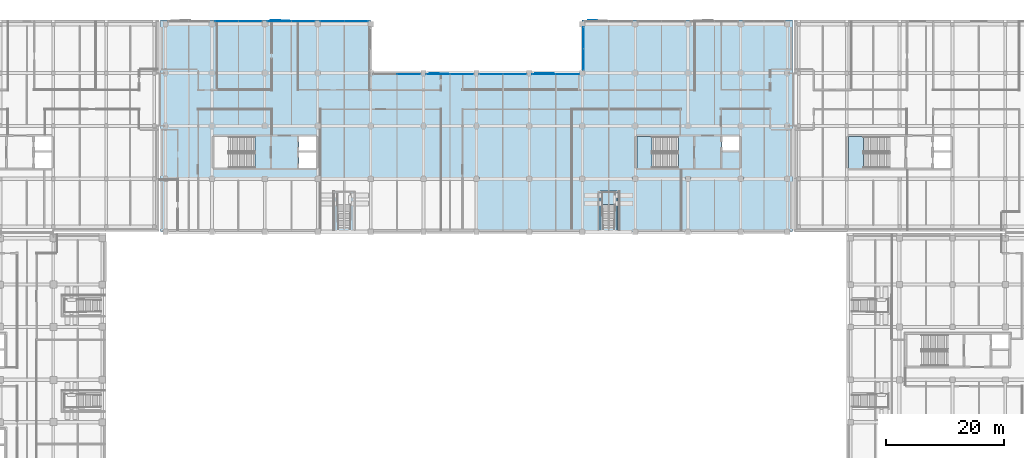
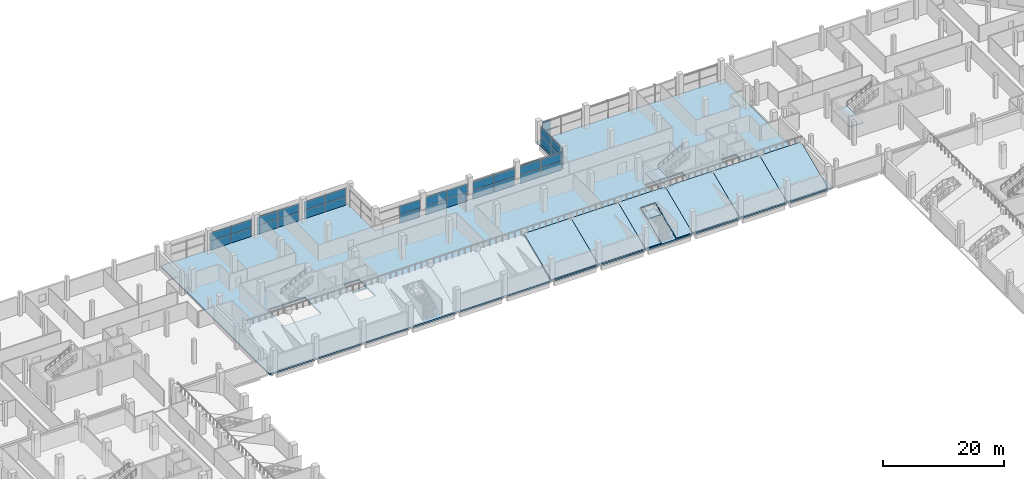
# One storey, part 49 of 100: 37 plates, 10 slabs, 10 elements without a shape of their own.
"""IFC4 building model written with IfcOpenShell, lengths in metres."""

from ifc_helpers import new_model, si_unit, direction, frame, origin, origin_2d, place, context, subcontext, project, spatial, polyline, rectangle, outline, extrude, material, layer, layer_set, type_object, element, aggregate, save


model = new_model("IFC4")

# Units and contexts
model_context = context("Model", 3, precision=1e-05, world=origin(), true_north=direction((0.0, 1.0)))
body_context = subcontext(model_context, "Body", "Model", "MODEL_VIEW")
ifc_project = project(units=[si_unit("LENGTHUNIT", "METRE"), si_unit("AREAUNIT", "SQUARE_METRE"), si_unit("VOLUMEUNIT", "CUBIC_METRE"), si_unit("PLANEANGLEUNIT", "RADIAN"), si_unit("MASSUNIT", "GRAM", prefix="KILO"), si_unit("THERMODYNAMICTEMPERATUREUNIT", "KELVIN"), si_unit("POWERUNIT", "WATT")], contexts=[model_context])

# Site, building, storey
site_placement = place(None, origin())
site = spatial("IfcSite", under=ifc_project, at=site_placement, CompositionType="ELEMENT")
building_placement = place(site_placement, origin())
building = spatial("IfcBuilding", under=site, at=building_placement, Name="Sindhuravela Promenade Stadium", CompositionType="ELEMENT")
storey_placement = place(building_placement, frame((0.0, 0.0, 4.800048828125)))
storey = spatial("IfcBuildingStorey", under=building, at=storey_placement, Name="L01", CompositionType="ELEMENT", Elevation=4.800048828125)

# Plates
ifc_material_1 = material(Name="Perforated terracotta celosia brick (15 MPa)", Category="masonry")
ifc_layer_1 = layer(ifc_material_1, 0.090087890625)
ifc_layer_set_1 = layer_set([ifc_layer_1], Name="Perforated terracotta celosia brick (15 MPa)")
plate_type_1 = type_object("IfcPlateType", Name="CL-SCR-01", PredefinedType="USERDEFINED", material=ifc_layer_set_1)
for number, where, z_axis, x_axis, name in (
    (1, (75.405029296875, 161.8798828125, 0.0), (0.0, 0.0, 1.0), (1.0, 0.0, 0.0), "Perforated brick celosia screen NORTH L01-140"),
    (2, (102.405029296875, 152.8798828125, 0.0), (0.0, 0.0, 1.0), (1.0, 0.0, 0.0), "Perforated brick celosia screen NORTH L01-144"),
):
    element("IfcPlate", number, at=place(storey_placement, frame(where, z_axis=z_axis, x_axis=x_axis)), inside=storey, type_object=plate_type_1, Name=name, ObjectType="SCREEN PANEL", PredefinedType="USERDEFINED", context=body_context, shape_type="SweptSolid", body=[
        extrude(rectangle(XDim=1.56005859375, YDim=0.090087890625, at=origin_2d()), origin(), (0.0, 0.0, 1.0), 3.580078125),
    ])
ifc_layer_2 = layer(ifc_material_1, 0.114990234375)
ifc_layer_set_2 = layer_set([ifc_layer_2], Name="Perforated terracotta celosia brick (15 MPa)")
plate_type_2 = type_object("IfcPlateType", Name="CL-SCR-02", PredefinedType="USERDEFINED", material=ifc_layer_set_2)
plate_1_placement = place(storey_placement, frame((118.804931640625, 152.8798828125, 0.0), z_axis=(0.0, 0.0, 1.0), x_axis=(1.0, 0.0, 0.0)))
element("IfcPlate", 3, at=plate_1_placement, inside=storey, type_object=plate_type_2, Name="Perforated brick celosia screen NORTH L01-145", ObjectType="SCREEN PANEL", PredefinedType="USERDEFINED", context=body_context, shape_type="SweptSolid", body=[
    extrude(rectangle(XDim=1.56005859375, YDim=0.114990234375, at=origin_2d()), origin(), (0.0, 0.0, 1.0), 3.580078125),
])
ifc_layer_3 = layer(ifc_material_1, 0.139892578125)
ifc_layer_set_3 = layer_set([ifc_layer_3], Name="Perforated terracotta celosia brick (15 MPa)")
plate_type_3 = type_object("IfcPlateType", Name="CL-SCR-03", PredefinedType="USERDEFINED", material=ifc_layer_set_3)
plate_2_placement = place(storey_placement, frame((120.405029296875, 152.8798828125, 0.0), z_axis=(0.0, 0.0, 1.0), x_axis=(1.0, 0.0, 0.0)))
element("IfcPlate", 4, at=plate_2_placement, inside=storey, type_object=plate_type_3, Name="Perforated brick celosia screen NORTH L01-146", ObjectType="SCREEN PANEL", PredefinedType="USERDEFINED", context=body_context, shape_type="SweptSolid", body=[
    extrude(rectangle(XDim=1.56005859375, YDim=0.139892578125, at=origin_2d()), origin(), (0.0, 0.0, 1.0), 3.580078125),
])
ifc_layer_4 = layer(ifc_material_1, 0.1650390625)
ifc_layer_set_4 = layer_set([ifc_layer_4], Name="Perforated terracotta celosia brick (15 MPa)")
plate_type_4 = type_object("IfcPlateType", Name="CL-SCR-04", PredefinedType="USERDEFINED", material=ifc_layer_set_4)
for number, where, z_axis, x_axis, name in (
    (5, (73.804931640625, 161.8798828125, 0.0), (0.0, 0.0, 1.0), (1.0, 0.0, 0.0), "Perforated brick celosia screen NORTH L01-139"),
    (6, (100.804931640625, 152.8798828125, 0.0), (0.0, 0.0, 1.0), (1.0, 0.0, 0.0), "Perforated brick celosia screen NORTH L01-143"),
    (7, (127.804931640625, 161.8798828125, 0.0), (0.0, 0.0, 1.0), (1.0, 0.0, 0.0), "Perforated brick celosia screen NORTH L01-147"),
):
    element("IfcPlate", number, at=place(storey_placement, frame(where, z_axis=z_axis, x_axis=x_axis)), inside=storey, type_object=plate_type_4, Name=name, ObjectType="SCREEN PANEL", PredefinedType="USERDEFINED", context=body_context, shape_type="SweptSolid", body=[
        extrude(rectangle(XDim=1.56005859375, YDim=0.1650390625, at=origin_2d()), origin(), (0.0, 0.0, 1.0), 3.580078125),
    ])

# Curtain wall, plates
ifc_material_2 = material(Name="Anodised architectural aluminium 6063-T6", Category="aluminium")
curtain_wall_type_1 = type_object("IfcCurtainWallType", Name="CW-MOD-5", PredefinedType="NOTDEFINED", material=ifc_material_2)
curtain_wall_1_placement = place(storey_placement, origin())
curtain_wall_1 = element("IfcCurtainWall", 8, at=curtain_wall_1_placement, inside=storey, type_object=curtain_wall_type_1, Name="Bronze curtain wall CW-NORTH-L01-140", PredefinedType="NOTDEFINED")
ifc_material_3 = material(Name="Tempered laminated low-E glass", Category="glass")
ifc_layer_5 = layer(ifc_material_3, 0.028076171875)
ifc_layer_set_5 = layer_set([ifc_layer_5], Name="Tempered laminated low-E glass")
plate_type_5 = type_object("IfcPlateType", Name="CW-PNL-01", PredefinedType="CURTAIN_PANEL", material=ifc_layer_set_5)
plate_3_placement = place(storey_placement, frame((74.5, 161.800048828125, 0.01513671875), z_axis=(0.0, 0.0, 1.0), x_axis=(1.0, 0.0, 0.0)))
plate_3 = element("IfcPlate", 9, at=plate_3_placement, type_object=plate_type_5, Name="Glazed curtain panel CW-NORTH-L01-140-P1.1", PredefinedType="CURTAIN_PANEL", context=body_context, shape_type="SweptSolid", body=[
    extrude(rectangle(XDim=3.93994140625, YDim=0.028076171875, at=origin_2d()), origin(), (0.0, 0.0, 1.0), 1.760009765625),
])
plate_4_placement = place(storey_placement, frame((74.5, 161.800048828125, 1.80517578125), z_axis=(0.0, 0.0, 1.0), x_axis=(1.0, 0.0, 0.0)))
plate_4 = element("IfcPlate", 10, at=plate_4_placement, type_object=plate_type_5, Name="Glazed curtain panel CW-NORTH-L01-140-P1.2", PredefinedType="CURTAIN_PANEL", context=body_context, shape_type="SweptSolid", body=[
    extrude(rectangle(XDim=3.93994140625, YDim=0.028076171875, at=origin_2d()), origin(), (0.0, 0.0, 1.0), 1.679931640625),
])
plate_5_placement = place(storey_placement, frame((78.5, 161.800048828125, 0.01513671875), z_axis=(0.0, 0.0, 1.0), x_axis=(1.0, 0.0, 0.0)))
plate_5 = element("IfcPlate", 11, at=plate_5_placement, type_object=plate_type_5, Name="Glazed curtain panel CW-NORTH-L01-140-P2.1", PredefinedType="CURTAIN_PANEL", context=body_context, shape_type="SweptSolid", body=[
    extrude(rectangle(XDim=3.93994140625, YDim=0.028076171875, at=origin_2d()), origin(), (0.0, 0.0, 1.0), 1.760009765625),
])
plate_6_placement = place(storey_placement, frame((78.5, 161.800048828125, 1.80517578125), z_axis=(0.0, 0.0, 1.0), x_axis=(1.0, 0.0, 0.0)))
plate_6 = element("IfcPlate", 12, at=plate_6_placement, type_object=plate_type_5, Name="Glazed curtain panel CW-NORTH-L01-140-P2.2", PredefinedType="CURTAIN_PANEL", context=body_context, shape_type="SweptSolid", body=[
    extrude(rectangle(XDim=3.93994140625, YDim=0.028076171875, at=origin_2d()), origin(), (0.0, 0.0, 1.0), 1.679931640625),
])
aggregate(curtain_wall_1, [plate_3, plate_4, plate_5, plate_6])

curtain_wall_type_2 = type_object("IfcCurtainWallType", Name="CW-MOD-1", PredefinedType="NOTDEFINED", material=ifc_material_2)
curtain_wall_2_placement = place(storey_placement, origin())
curtain_wall_2 = element("IfcCurtainWall", 13, at=curtain_wall_2_placement, inside=storey, type_object=curtain_wall_type_2, Name="Bronze curtain wall CW-NORTH-L01-144", PredefinedType="NOTDEFINED")
plate_7_placement = place(storey_placement, frame((101.5, 152.800048828125, 0.01513671875), z_axis=(0.0, 0.0, 1.0), x_axis=(1.0, 0.0, 0.0)))
plate_7 = element("IfcPlate", 14, at=plate_7_placement, type_object=plate_type_5, Name="Glazed curtain panel CW-NORTH-L01-144-P1.1", PredefinedType="CURTAIN_PANEL", context=body_context, shape_type="SweptSolid", body=[
    extrude(rectangle(XDim=3.93994140625, YDim=0.028076171875, at=origin_2d()), origin(), (0.0, 0.0, 1.0), 1.760009765625),
])
plate_8_placement = place(storey_placement, frame((101.5, 152.800048828125, 1.80517578125), z_axis=(0.0, 0.0, 1.0), x_axis=(1.0, 0.0, 0.0)))
plate_8 = element("IfcPlate", 15, at=plate_8_placement, type_object=plate_type_5, Name="Glazed curtain panel CW-NORTH-L01-144-P1.2", PredefinedType="CURTAIN_PANEL", context=body_context, shape_type="SweptSolid", body=[
    extrude(rectangle(XDim=3.93994140625, YDim=0.028076171875, at=origin_2d()), origin(), (0.0, 0.0, 1.0), 1.679931640625),
])
plate_9_placement = place(storey_placement, frame((105.5, 152.800048828125, 0.01513671875), z_axis=(0.0, 0.0, 1.0), x_axis=(1.0, 0.0, 0.0)))
plate_9 = element("IfcPlate", 16, at=plate_9_placement, type_object=plate_type_5, Name="Glazed curtain panel CW-NORTH-L01-144-P2.1", PredefinedType="CURTAIN_PANEL", context=body_context, shape_type="SweptSolid", body=[
    extrude(rectangle(XDim=3.93994140625, YDim=0.028076171875, at=origin_2d()), origin(), (0.0, 0.0, 1.0), 1.760009765625),
])
plate_10_placement = place(storey_placement, frame((105.5, 152.800048828125, 1.80517578125), z_axis=(0.0, 0.0, 1.0), x_axis=(1.0, 0.0, 0.0)))
plate_10 = element("IfcPlate", 17, at=plate_10_placement, type_object=plate_type_5, Name="Glazed curtain panel CW-NORTH-L01-144-P2.2", PredefinedType="CURTAIN_PANEL", context=body_context, shape_type="SweptSolid", body=[
    extrude(rectangle(XDim=3.93994140625, YDim=0.028076171875, at=origin_2d()), origin(), (0.0, 0.0, 1.0), 1.679931640625),
])
aggregate(curtain_wall_2, [plate_7, plate_8, plate_9, plate_10])

curtain_wall_type_3 = type_object("IfcCurtainWallType", Name="CW-MOD-3", PredefinedType="NOTDEFINED", material=ifc_material_2)
curtain_wall_3_placement = place(storey_placement, origin())
curtain_wall_3 = element("IfcCurtainWall", 18, at=curtain_wall_3_placement, inside=storey, type_object=curtain_wall_type_3, Name="Bronze curtain wall CW-NORTH-L01-146", PredefinedType="NOTDEFINED")
plate_11_placement = place(storey_placement, frame((119.5, 152.800048828125, 0.01513671875), z_axis=(0.0, 0.0, 1.0), x_axis=(1.0, 0.0, 0.0)))
plate_11 = element("IfcPlate", 19, at=plate_11_placement, type_object=plate_type_5, Name="Glazed curtain panel CW-NORTH-L01-146-P1.1", PredefinedType="CURTAIN_PANEL", context=body_context, shape_type="SweptSolid", body=[
    extrude(rectangle(XDim=3.93994140625, YDim=0.028076171875, at=origin_2d()), origin(), (0.0, 0.0, 1.0), 1.760009765625),
])
plate_12_placement = place(storey_placement, frame((119.5, 152.800048828125, 1.80517578125), z_axis=(0.0, 0.0, 1.0), x_axis=(1.0, 0.0, 0.0)))
plate_12 = element("IfcPlate", 20, at=plate_12_placement, type_object=plate_type_5, Name="Glazed curtain panel CW-NORTH-L01-146-P1.2", PredefinedType="CURTAIN_PANEL", context=body_context, shape_type="SweptSolid", body=[
    extrude(rectangle(XDim=3.93994140625, YDim=0.028076171875, at=origin_2d()), origin(), (0.0, 0.0, 1.0), 1.679931640625),
])
plate_13_placement = place(storey_placement, frame((123.5, 152.800048828125, 0.01513671875), z_axis=(0.0, 0.0, 1.0), x_axis=(1.0, 0.0, 0.0)))
plate_13 = element("IfcPlate", 21, at=plate_13_placement, type_object=plate_type_5, Name="Glazed curtain panel CW-NORTH-L01-146-P2.1", PredefinedType="CURTAIN_PANEL", context=body_context, shape_type="SweptSolid", body=[
    extrude(rectangle(XDim=3.93994140625, YDim=0.028076171875, at=origin_2d()), origin(), (0.0, 0.0, 1.0), 1.760009765625),
])
plate_14_placement = place(storey_placement, frame((123.5, 152.800048828125, 1.80517578125), z_axis=(0.0, 0.0, 1.0), x_axis=(1.0, 0.0, 0.0)))
plate_14 = element("IfcPlate", 22, at=plate_14_placement, type_object=plate_type_5, Name="Glazed curtain panel CW-NORTH-L01-146-P2.2", PredefinedType="CURTAIN_PANEL", context=body_context, shape_type="SweptSolid", body=[
    extrude(rectangle(XDim=3.93994140625, YDim=0.028076171875, at=origin_2d()), origin(), (0.0, 0.0, 1.0), 1.679931640625),
])
aggregate(curtain_wall_3, [plate_11, plate_12, plate_13, plate_14])

curtain_wall_type_4 = type_object("IfcCurtainWallType", Name="CW-MOD-4", PredefinedType="NOTDEFINED", material=ifc_material_2)
curtain_wall_4_placement = place(storey_placement, origin())
curtain_wall_4 = element("IfcCurtainWall", 23, at=curtain_wall_4_placement, inside=storey, type_object=curtain_wall_type_4, Name="Bronze curtain wall CW-NORTH-L01-139", PredefinedType="NOTDEFINED")
ifc_layer_6 = layer(ifc_material_3, 0.0400390625)
ifc_layer_set_6 = layer_set([ifc_layer_6], Name="Tempered laminated low-E glass")
plate_type_6 = type_object("IfcPlateType", Name="CW-PNL-02", PredefinedType="CURTAIN_PANEL", material=ifc_layer_set_6)
plate_15_placement = place(storey_placement, frame((65.5, 161.800048828125, 0.01513671875), z_axis=(0.0, 0.0, 1.0), x_axis=(1.0, 0.0, 0.0)))
plate_15 = element("IfcPlate", 24, at=plate_15_placement, type_object=plate_type_6, Name="Glazed curtain panel CW-NORTH-L01-139-P1.1", PredefinedType="CURTAIN_PANEL", context=body_context, shape_type="SweptSolid", body=[
    extrude(rectangle(XDim=3.93994140625, YDim=0.0400390625, at=origin_2d()), origin(), (0.0, 0.0, 1.0), 1.760009765625),
])
plate_16_placement = place(storey_placement, frame((65.5, 161.800048828125, 1.80517578125), z_axis=(0.0, 0.0, 1.0), x_axis=(1.0, 0.0, 0.0)))
plate_16 = element("IfcPlate", 25, at=plate_16_placement, type_object=plate_type_6, Name="Glazed curtain panel CW-NORTH-L01-139-P1.2", PredefinedType="CURTAIN_PANEL", context=body_context, shape_type="SweptSolid", body=[
    extrude(rectangle(XDim=3.93994140625, YDim=0.0400390625, at=origin_2d()), origin(), (0.0, 0.0, 1.0), 1.679931640625),
])
plate_17_placement = place(storey_placement, frame((69.5, 161.800048828125, 0.01513671875), z_axis=(0.0, 0.0, 1.0), x_axis=(1.0, 0.0, 0.0)))
plate_17 = element("IfcPlate", 26, at=plate_17_placement, type_object=plate_type_6, Name="Glazed curtain panel CW-NORTH-L01-139-P2.1", PredefinedType="CURTAIN_PANEL", context=body_context, shape_type="SweptSolid", body=[
    extrude(rectangle(XDim=3.93994140625, YDim=0.0400390625, at=origin_2d()), origin(), (0.0, 0.0, 1.0), 1.760009765625),
])
plate_18_placement = place(storey_placement, frame((69.5, 161.800048828125, 1.80517578125), z_axis=(0.0, 0.0, 1.0), x_axis=(1.0, 0.0, 0.0)))
plate_18 = element("IfcPlate", 27, at=plate_18_placement, type_object=plate_type_6, Name="Glazed curtain panel CW-NORTH-L01-139-P2.2", PredefinedType="CURTAIN_PANEL", context=body_context, shape_type="SweptSolid", body=[
    extrude(rectangle(XDim=3.93994140625, YDim=0.0400390625, at=origin_2d()), origin(), (0.0, 0.0, 1.0), 1.679931640625),
])
aggregate(curtain_wall_4, [plate_15, plate_16, plate_17, plate_18])

curtain_wall_type_5 = type_object("IfcCurtainWallType", Name="CW-MOD-6", PredefinedType="NOTDEFINED", material=ifc_material_2)
curtain_wall_5_placement = place(storey_placement, origin())
curtain_wall_5 = element("IfcCurtainWall", 28, at=curtain_wall_5_placement, inside=storey, type_object=curtain_wall_type_5, Name="Bronze curtain wall CW-NORTH-L01-141", PredefinedType="NOTDEFINED")
plate_19_placement = place(storey_placement, frame((83.5, 161.800048828125, 0.01513671875), z_axis=(0.0, 0.0, 1.0), x_axis=(1.0, 0.0, 0.0)))
plate_19 = element("IfcPlate", 29, at=plate_19_placement, type_object=plate_type_6, Name="Glazed curtain panel CW-NORTH-L01-141-P1.1", PredefinedType="CURTAIN_PANEL", context=body_context, shape_type="SweptSolid", body=[
    extrude(rectangle(XDim=3.93994140625, YDim=0.0400390625, at=origin_2d()), origin(), (0.0, 0.0, 1.0), 1.760009765625),
])
plate_20_placement = place(storey_placement, frame((83.5, 161.800048828125, 1.80517578125), z_axis=(0.0, 0.0, 1.0), x_axis=(1.0, 0.0, 0.0)))
plate_20 = element("IfcPlate", 30, at=plate_20_placement, type_object=plate_type_6, Name="Glazed curtain panel CW-NORTH-L01-141-P1.2", PredefinedType="CURTAIN_PANEL", context=body_context, shape_type="SweptSolid", body=[
    extrude(rectangle(XDim=3.93994140625, YDim=0.0400390625, at=origin_2d()), origin(), (0.0, 0.0, 1.0), 1.679931640625),
])
plate_21_placement = place(storey_placement, frame((87.5, 161.800048828125, 0.01513671875), z_axis=(0.0, 0.0, 1.0), x_axis=(1.0, 0.0, 0.0)))
plate_21 = element("IfcPlate", 31, at=plate_21_placement, type_object=plate_type_6, Name="Glazed curtain panel CW-NORTH-L01-141-P2.1", PredefinedType="CURTAIN_PANEL", context=body_context, shape_type="SweptSolid", body=[
    extrude(rectangle(XDim=3.93994140625, YDim=0.0400390625, at=origin_2d()), origin(), (0.0, 0.0, 1.0), 1.760009765625),
])
plate_22_placement = place(storey_placement, frame((87.5, 161.800048828125, 1.80517578125), z_axis=(0.0, 0.0, 1.0), x_axis=(1.0, 0.0, 0.0)))
plate_22 = element("IfcPlate", 32, at=plate_22_placement, type_object=plate_type_6, Name="Glazed curtain panel CW-NORTH-L01-141-P2.2", PredefinedType="CURTAIN_PANEL", context=body_context, shape_type="SweptSolid", body=[
    extrude(rectangle(XDim=3.93994140625, YDim=0.0400390625, at=origin_2d()), origin(), (0.0, 0.0, 1.0), 1.679931640625),
])
aggregate(curtain_wall_5, [plate_19, plate_20, plate_21, plate_22])

curtain_wall_type_6 = type_object("IfcCurtainWallType", Name="CW-MOD-8", PredefinedType="NOTDEFINED", material=ifc_material_2)
curtain_wall_6_placement = place(storey_placement, origin())
curtain_wall_6 = element("IfcCurtainWall", 33, at=curtain_wall_6_placement, inside=storey, type_object=curtain_wall_type_6, Name="Bronze curtain wall CW-NORTH-L01-143", PredefinedType="NOTDEFINED")
plate_23_placement = place(storey_placement, frame((96.5, 152.800048828125, 0.01513671875), z_axis=(0.0, 0.0, 1.0), x_axis=(1.0, 0.0, 0.0)))
plate_23 = element("IfcPlate", 34, at=plate_23_placement, type_object=plate_type_6, Name="Glazed curtain panel CW-NORTH-L01-143-P2.1", PredefinedType="CURTAIN_PANEL", context=body_context, shape_type="SweptSolid", body=[
    extrude(rectangle(XDim=3.93994140625, YDim=0.0400390625, at=origin_2d()), origin(), (0.0, 0.0, 1.0), 1.760009765625),
])
plate_24_placement = place(storey_placement, frame((96.5, 152.800048828125, 1.80517578125), z_axis=(0.0, 0.0, 1.0), x_axis=(1.0, 0.0, 0.0)))
plate_24 = element("IfcPlate", 35, at=plate_24_placement, type_object=plate_type_6, Name="Glazed curtain panel CW-NORTH-L01-143-P2.2", PredefinedType="CURTAIN_PANEL", context=body_context, shape_type="SweptSolid", body=[
    extrude(rectangle(XDim=3.93994140625, YDim=0.0400390625, at=origin_2d()), origin(), (0.0, 0.0, 1.0), 1.679931640625),
])
aggregate(curtain_wall_6, [plate_23, plate_24])

curtain_wall_type_7 = type_object("IfcCurtainWallType", Name="CW-MOD-2", PredefinedType="NOTDEFINED", material=ifc_material_2)
curtain_wall_7_placement = place(storey_placement, origin())
curtain_wall_7 = element("IfcCurtainWall", 36, at=curtain_wall_7_placement, inside=storey, type_object=curtain_wall_type_7, Name="Bronze curtain wall CW-NORTH-L01-145", PredefinedType="NOTDEFINED")
plate_25_placement = place(storey_placement, frame((110.5, 152.800048828125, 0.01513671875), z_axis=(0.0, 0.0, 1.0), x_axis=(1.0, 0.0, 0.0)))
plate_25 = element("IfcPlate", 37, at=plate_25_placement, type_object=plate_type_6, Name="Glazed curtain panel CW-NORTH-L01-145-P1.1", PredefinedType="CURTAIN_PANEL", context=body_context, shape_type="SweptSolid", body=[
    extrude(rectangle(XDim=3.93994140625, YDim=0.0400390625, at=origin_2d()), origin(), (0.0, 0.0, 1.0), 1.760009765625),
])
plate_26_placement = place(storey_placement, frame((110.5, 152.800048828125, 1.80517578125), z_axis=(0.0, 0.0, 1.0), x_axis=(1.0, 0.0, 0.0)))
plate_26 = element("IfcPlate", 38, at=plate_26_placement, type_object=plate_type_6, Name="Glazed curtain panel CW-NORTH-L01-145-P1.2", PredefinedType="CURTAIN_PANEL", context=body_context, shape_type="SweptSolid", body=[
    extrude(rectangle(XDim=3.93994140625, YDim=0.0400390625, at=origin_2d()), origin(), (0.0, 0.0, 1.0), 1.679931640625),
])
plate_27_placement = place(storey_placement, frame((114.5, 152.800048828125, 0.01513671875), z_axis=(0.0, 0.0, 1.0), x_axis=(1.0, 0.0, 0.0)))
plate_27 = element("IfcPlate", 39, at=plate_27_placement, type_object=plate_type_6, Name="Glazed curtain panel CW-NORTH-L01-145-P2.1", PredefinedType="CURTAIN_PANEL", context=body_context, shape_type="SweptSolid", body=[
    extrude(rectangle(XDim=3.93994140625, YDim=0.0400390625, at=origin_2d()), origin(), (0.0, 0.0, 1.0), 1.760009765625),
])
plate_28_placement = place(storey_placement, frame((114.5, 152.800048828125, 1.80517578125), z_axis=(0.0, 0.0, 1.0), x_axis=(1.0, 0.0, 0.0)))
plate_28 = element("IfcPlate", 40, at=plate_28_placement, type_object=plate_type_6, Name="Glazed curtain panel CW-NORTH-L01-145-P2.2", PredefinedType="CURTAIN_PANEL", context=body_context, shape_type="SweptSolid", body=[
    extrude(rectangle(XDim=3.93994140625, YDim=0.0400390625, at=origin_2d()), origin(), (0.0, 0.0, 1.0), 1.679931640625),
])
aggregate(curtain_wall_7, [plate_25, plate_26, plate_27, plate_28])

curtain_wall_8_placement = place(storey_placement, origin())
curtain_wall_8 = element("IfcCurtainWall", 41, at=curtain_wall_8_placement, inside=storey, type_object=curtain_wall_type_4, Name="Bronze curtain wall CW-NORTH-L01-147", PredefinedType="NOTDEFINED")
plate_29_placement = place(storey_placement, frame((126.199951171875, 155.324951171875, 0.01513671875), z_axis=(0.0, 0.0, 1.0), x_axis=(0.0, 1.0, 0.0)))
plate_29 = element("IfcPlate", 42, at=plate_29_placement, type_object=plate_type_6, Name="Glazed curtain panel CW-NORTH-L01-147-P1.1", PredefinedType="CURTAIN_PANEL", context=body_context, shape_type="SweptSolid", body=[
    extrude(rectangle(XDim=3.590087890625, YDim=0.0400390625, at=origin_2d()), origin(), (0.0, 0.0, 1.0), 1.760009765625),
])
plate_30_placement = place(storey_placement, frame((126.199951171875, 155.324951171875, 1.80517578125), z_axis=(0.0, 0.0, 1.0), x_axis=(0.0, 1.0, 0.0)))
plate_30 = element("IfcPlate", 43, at=plate_30_placement, type_object=plate_type_6, Name="Glazed curtain panel CW-NORTH-L01-147-P1.2", PredefinedType="CURTAIN_PANEL", context=body_context, shape_type="SweptSolid", body=[
    extrude(rectangle(XDim=3.590087890625, YDim=0.0400390625, at=origin_2d()), origin(), (0.0, 0.0, 1.0), 1.679931640625),
])
plate_31_placement = place(storey_placement, frame((126.199951171875, 158.97509765625, 0.01513671875), z_axis=(0.0, 0.0, 1.0), x_axis=(0.0, 1.0, 0.0)))
plate_31 = element("IfcPlate", 44, at=plate_31_placement, type_object=plate_type_6, Name="Glazed curtain panel CW-NORTH-L01-147-P2.1", PredefinedType="CURTAIN_PANEL", context=body_context, shape_type="SweptSolid", body=[
    extrude(rectangle(XDim=3.590087890625, YDim=0.0400390625, at=origin_2d()), origin(), (0.0, 0.0, 1.0), 1.760009765625),
])
plate_32_placement = place(storey_placement, frame((126.199951171875, 158.97509765625, 1.80517578125), z_axis=(0.0, 0.0, 1.0), x_axis=(0.0, 1.0, 0.0)))
plate_32 = element("IfcPlate", 45, at=plate_32_placement, type_object=plate_type_6, Name="Glazed curtain panel CW-NORTH-L01-147-P2.2", PredefinedType="CURTAIN_PANEL", context=body_context, shape_type="SweptSolid", body=[
    extrude(rectangle(XDim=3.590087890625, YDim=0.0400390625, at=origin_2d()), origin(), (0.0, 0.0, 1.0), 1.679931640625),
])
aggregate(curtain_wall_8, [plate_29, plate_30, plate_31, plate_32])

# Slabs
ifc_material_4 = material(Name="Concrete M40", Category="concrete")
ifc_layer_7 = layer(ifc_material_4, 0.25)
ifc_layer_set_7 = layer_set([ifc_layer_7], Name="Concrete M40")
slab_type_1 = type_object("IfcSlabType", Name="SL-FLR-250", PredefinedType="FLOOR", material=ifc_layer_set_7)
slab_1_placement = place(storey_placement, frame((0.0, 0.0, 2.0)))
element("IfcSlab", 46, at=slab_1_placement, inside=storey, type_object=slab_type_1, Name="Vomitory VS10 tier landing slab", PredefinedType="FLOOR", context=body_context, shape_type="SweptSolid", body=[
    extrude(outline(polyline([(131.669921875, 130.639404296875), (131.669921875, 132.7900390625), (129.330078125, 132.7900390625), (129.330078125, 130.639404296875), (131.669921875, 130.639404296875)])), origin(), (0.0, 0.0, 1.0), 0.25),
])
ifc_layer_8 = layer(ifc_material_4, 0.300048828125)
ifc_layer_set_8 = layer_set([ifc_layer_8], Name="Concrete M40")
slab_type_2 = type_object("IfcSlabType", Name="SL-FLR-300", PredefinedType="FLOOR", material=ifc_layer_set_8)
slab_2_placement = place(storey_placement, frame((0.0, 0.0, -0.300048828125)))
element("IfcSlab", 47, at=slab_2_placement, inside=storey, type_object=slab_type_2, Name="Floor slab NORTH L01", PredefinedType="FLOOR", context=body_context, shape_type="SweptSolid", body=[
    extrude(outline(polyline([(54.25, 126.0), (161.75, 126.0), (161.75, 162.0), (126.0, 162.0), (126.0, 153.0), (90.0, 153.0), (90.0, 162.0), (54.25, 162.0), (54.25, 126.0)]), holes=[polyline([(63.300048828125, 136.800048828125), (70.34912109375, 136.800048828125), (70.34912109375, 142.199951171875), (63.300048828125, 142.199951171875), (63.300048828125, 136.800048828125)]), polyline([(77.800048828125, 139.800048828125), (80.699951171875, 139.800048828125), (80.699951171875, 142.199951171875), (77.800048828125, 142.199951171875), (77.800048828125, 139.800048828125)]), polyline([(77.800048828125, 136.800048828125), (80.699951171875, 136.800048828125), (80.699951171875, 139.5), (77.800048828125, 139.5), (77.800048828125, 136.800048828125)]), polyline([(135.300048828125, 136.800048828125), (142.34912109375, 136.800048828125), (142.34912109375, 142.199951171875), (135.300048828125, 142.199951171875), (135.300048828125, 136.800048828125)]), polyline([(149.800048828125, 139.800048828125), (152.699951171875, 139.800048828125), (152.699951171875, 142.199951171875), (149.800048828125, 142.199951171875), (149.800048828125, 139.800048828125)])]), origin(), (0.0, 0.0, 1.0), 0.300048828125),
])

# Stair, slab
stair_type = type_object("IfcStairType", Name="ST-CORE-DOGLEG", PredefinedType="HALF_TURN_STAIR", material=ifc_material_4)
stair_1_placement = place(storey_placement, origin())
stair_1 = element("IfcStair", 48, at=stair_1_placement, inside=storey, type_object=stair_type, Name="Protected escape stair ST10 (L01)", PredefinedType="HALF_TURN_STAIR")
ifc_layer_9 = layer(ifc_material_4, 0.219970703125)
ifc_layer_set_9 = layer_set([ifc_layer_9], Name="Concrete M40")
slab_type_3 = type_object("IfcSlabType", Name="SL-LND-220", PredefinedType="LANDING", material=ifc_layer_set_9)
slab_3_placement = place(storey_placement, frame((0.0, 0.0, 2.179931640625)))
slab_3 = element("IfcSlab", 49, at=slab_3_placement, type_object=slab_type_3, Name="Stair ST10 half-landing (L01)", PredefinedType="LANDING", context=body_context, shape_type="SweptSolid", body=[
    extrude(outline(polyline([(135.280029296875, 136.780029296875), (137.85205078125, 136.780029296875), (137.85205078125, 142.219970703125), (135.280029296875, 142.219970703125), (135.280029296875, 136.780029296875)])), origin(), (0.0, 0.0, 1.0), 0.219970703125),
])
aggregate(stair_1, [slab_3])

stair_2_placement = place(storey_placement, origin())
stair_2 = element("IfcStair", 50, at=stair_2_placement, inside=storey, type_object=stair_type, Name="Protected escape stair GS04 (L01)", PredefinedType="HALF_TURN_STAIR")
slab_4_placement = place(storey_placement, frame((0.0, 0.0, 2.179931640625)))
slab_4 = element("IfcSlab", 51, at=slab_4_placement, type_object=slab_type_3, Name="Stair GS04 half-landing (L01)", PredefinedType="LANDING", context=body_context, shape_type="SweptSolid", body=[
    extrude(outline(polyline([(171.280029296875, 136.780029296875), (173.85205078125, 136.780029296875), (173.85205078125, 142.219970703125), (171.280029296875, 142.219970703125), (171.280029296875, 136.780029296875)])), origin(), (0.0, 0.0, 1.0), 0.219970703125),
])
aggregate(stair_2, [slab_4])

# Slabs
ifc_material_5 = material(Name="Precast concrete M50", Category="concrete")
ifc_layer_10 = layer(ifc_material_5, 0.2900390625)
ifc_layer_set_10 = layer_set([ifc_layer_10], Name="Precast concrete M50")
slab_type_4 = type_object("IfcSlabType", Name="SL-TR1-290", PredefinedType="USERDEFINED", material=ifc_layer_set_10)
for number, where, z_axis, x_axis, name in (
    (52, (108.0, 126.0, 0.199951171875), (0.0, -0.3933111809778274, 0.9194054137962352), (1.0, 0.0, 0.0), "Stand lower tier North rear bay 29"),
    (53, (117.0, 126.0, 0.199951171875), (0.0, -0.3933111809778274, 0.9194054137962352), (1.0, 0.0, 0.0), "Stand lower tier North rear bay 30"),
):
    element("IfcSlab", number, at=place(storey_placement, frame(where, z_axis=z_axis, x_axis=x_axis)), inside=storey, type_object=slab_type_4, Name=name, ObjectType="SEATING TIER", PredefinedType="USERDEFINED", context=body_context, shape_type="SweptSolid", body=[
        extrude(outline(polyline([(0.0, 0.0), (9.0, 0.0), (9.0, 9.788935180225769), (0.0, 9.788935180225769), (0.0, 0.0)])), origin(), (0.0, 0.0, -1.0), 0.2900390625),
    ])
slab_5_placement = place(storey_placement, frame((126.0, 126.0, 0.199951171875), z_axis=(0.0, -0.3933099048854284, 0.919405959693005), x_axis=(1.0, 0.0, 0.0)))
element("IfcSlab", 54, at=slab_5_placement, inside=storey, type_object=slab_type_4, Name="Stand lower tier North rear bay 31", ObjectType="SEATING TIER", PredefinedType="USERDEFINED", context=body_context, shape_type="SweptSolid", body=[
    extrude(outline(polyline([(0.0, 0.0), (3.050048828125, 0.0), (3.050048828125, 7.559193719793829), (5.949951171875, 7.559193719793829), (5.949951171875, 0.0), (9.0, 0.0), (9.0, 9.788935180216342), (0.0, 9.788935180216342), (0.0, 0.0)])), origin(), (0.0, 0.0, -1.0), 0.2900390625),
])
for number, where, z_axis, x_axis, name in (
    (55, (135.0, 126.0, 0.199951171875), (0.0, -0.3933111809778274, 0.9194054137962352), (1.0, 0.0, 0.0), "Stand lower tier North rear bay 32"),
    (56, (144.0, 126.0, 0.199951171875), (0.0, -0.3933111809778274, 0.9194054137962352), (1.0, 0.0, 0.0), "Stand lower tier North rear bay 33"),
):
    element("IfcSlab", number, at=place(storey_placement, frame(where, z_axis=z_axis, x_axis=x_axis)), inside=storey, type_object=slab_type_4, Name=name, ObjectType="SEATING TIER", PredefinedType="USERDEFINED", context=body_context, shape_type="SweptSolid", body=[
        extrude(outline(polyline([(0.0, 0.0), (9.0, 0.0), (9.0, 9.788935180225769), (0.0, 9.788935180225769), (0.0, 0.0)])), origin(), (0.0, 0.0, -1.0), 0.2900390625),
    ])
slab_6_placement = place(storey_placement, frame((153.0, 126.0, 0.199951171875), z_axis=(0.0, -0.39331118097782747, 0.9194054137962353), x_axis=(1.0, 0.0, 0.0)))
element("IfcSlab", 57, at=slab_6_placement, inside=storey, type_object=slab_type_4, Name="Stand lower tier North rear bay 34", ObjectType="SEATING TIER", PredefinedType="USERDEFINED", context=body_context, shape_type="SweptSolid", body=[
    extrude(outline(polyline([(0.0, 0.0), (7.89990234375, 0.0), (7.89990234375, 9.78893518022577), (0.0, 9.78893518022577), (0.0, 0.0)])), origin(), (0.0, 0.0, -1.0), 0.2900390625),
])

save(model, "model.ifc")
